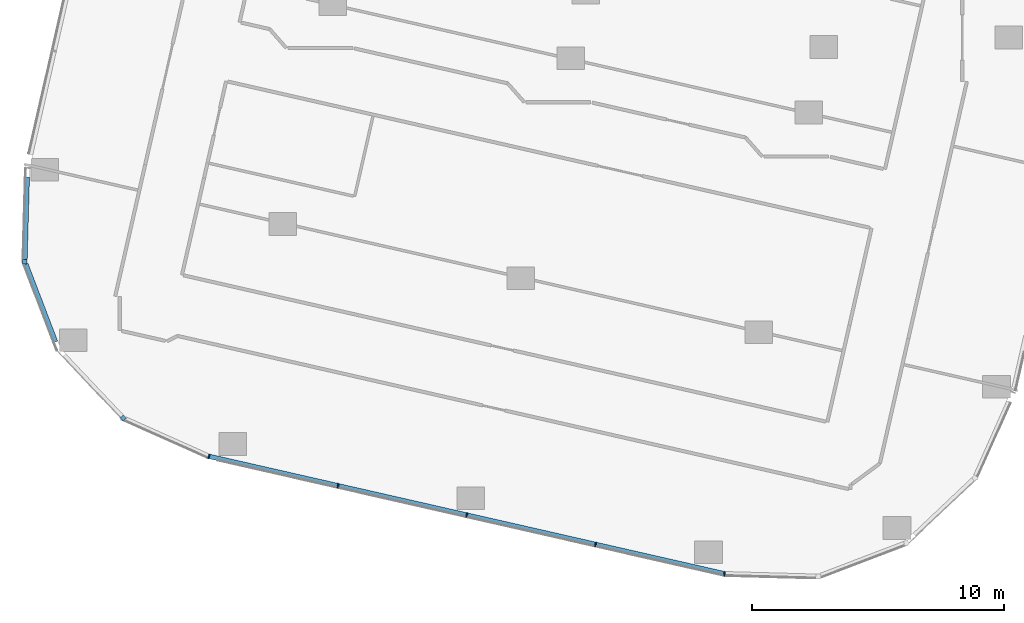
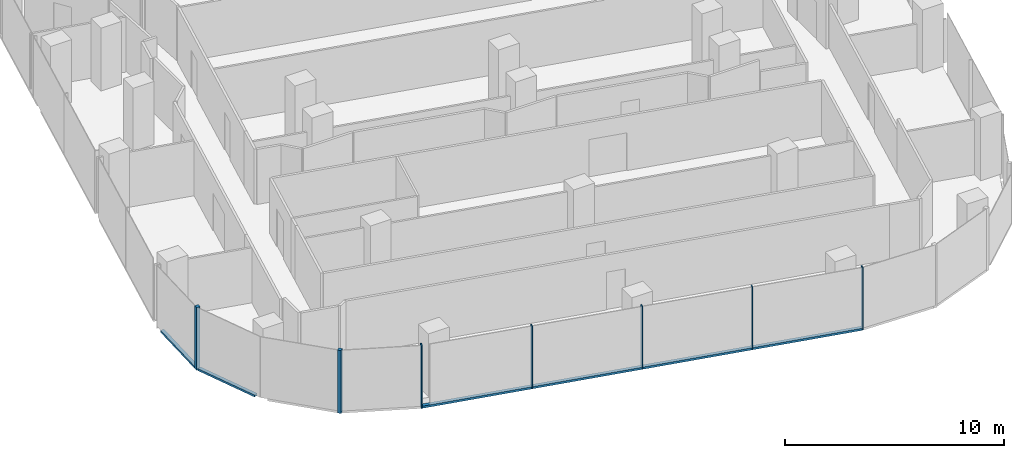
# One storey, part 2 of 23: 10 members, 5 elements without a shape of their own.
"""IFC4 building model written with IfcOpenShell, lengths in metres."""

from ifc_helpers import new_model, si_unit, direction, frame, origin, origin_2d, place, context, subcontext, project, spatial, rectangle, extrude, material, material_profile, profile_set, type_object, element, aggregate, save


model = new_model("IFC4")

# Units and contexts
model_context = context("Model", 3, precision=1e-05, world=origin(), true_north=direction((0.0, 1.0)))
body_context = subcontext(model_context, "Body", "Model", "MODEL_VIEW")
ifc_project = project(units=[si_unit("LENGTHUNIT", "METRE"), si_unit("AREAUNIT", "SQUARE_METRE"), si_unit("VOLUMEUNIT", "CUBIC_METRE"), si_unit("PLANEANGLEUNIT", "RADIAN"), si_unit("MASSUNIT", "GRAM", prefix="KILO")], contexts=[model_context])

# Site, building, storey
site_placement = place(None, origin())
site = spatial("IfcSite", under=ifc_project, at=site_placement, CompositionType="ELEMENT")
building_placement = place(site_placement, origin())
building = spatial("IfcBuilding", under=site, at=building_placement, Name="Orlundy Tower", CompositionType="ELEMENT")
storey_placement = place(building_placement, frame((0.0, 0.0, 181.10009765625)))
storey = spatial("IfcBuildingStorey", under=building, at=storey_placement, Name="L47", CompositionType="ELEMENT", Elevation=181.10009765625)

# Curtain wall, member
ifc_material_1 = material(Name="Aluminium bronze anodised", Category="aluminium")
curtain_wall_type = type_object("IfcCurtainWallType", Name="CW1 wall", PredefinedType="NOTDEFINED", material=ifc_material_1)
curtain_wall_1_placement = place(storey_placement, origin())
curtain_wall_1 = element("IfcCurtainWall", 1, at=curtain_wall_1_placement, inside=storey, type_object=curtain_wall_type, Name="CW1 run 025", PredefinedType="NOTDEFINED")
ifc_material_2 = material(Name="Aluminium bronze anodised", Category="aluminium")
ifc_material_profile_1 = material_profile(ifc_material_2, rectangle(XDim=0.179931640625, YDim=0.179931640625, at=origin_2d()), Name="CW1 corner post 180x180")
ifc_profile_set_1 = profile_set([ifc_material_profile_1], Name="Aluminium bronze anodised")
member_type_1 = type_object("IfcMemberType", Name="CW1 corner post 180x180", PredefinedType="MULLION", material=ifc_profile_set_1)
member_1_placement = place(storey_placement, frame((-27.113037109375, -55.21875, -0.420166015625), z_axis=(0.0, 0.0, 1.0), x_axis=(-0.726526655942, -0.68713828172, 0.0)))
member_1 = element("IfcMember", 2, at=member_1_placement, type_object=member_type_1, Name="CW1 mullion 58", PredefinedType="MULLION", context=body_context, shape_type="SweptSolid", body=[
    extrude(rectangle(XDim=0.179931640625, YDim=0.179931640625, at=origin_2d()), origin(), (0.0, 0.0, 1.0), 3.5),
])
aggregate(curtain_wall_1, [member_1])

curtain_wall_2_placement = place(storey_placement, origin())
curtain_wall_2 = element("IfcCurtainWall", 3, at=curtain_wall_2_placement, inside=storey, type_object=curtain_wall_type, Name="CW1 run 027", PredefinedType="NOTDEFINED")
member_2_placement = place(storey_placement, frame((-31.021484375, -49.00439453125, -0.420166015625), z_axis=(0.0, 0.0, 1.0), x_axis=(-0.999613796342, 0.027789533343, 0.0)))
member_2 = element("IfcMember", 4, at=member_2_placement, type_object=member_type_1, Name="CW1 mullion 60", PredefinedType="MULLION", context=body_context, shape_type="SweptSolid", body=[
    extrude(rectangle(XDim=0.179931640625, YDim=0.179931640625, at=origin_2d()), origin(), (0.0, 0.0, 1.0), 3.5),
])

# Curtain wall, members
curtain_wall_3_placement = place(storey_placement, origin())
curtain_wall_3 = element("IfcCurtainWall", 5, at=curtain_wall_3_placement, inside=storey, type_object=curtain_wall_type, Name="CW1 run 023", PredefinedType="NOTDEFINED")
ifc_material_3 = material(Name="Aluminium bronze anodised", Category="aluminium")
ifc_material_profile_2 = material_profile(ifc_material_3, rectangle(XDim=0.179931640625, YDim=0.050048828125, at=origin_2d()), Name="CW1 mullion 50x180")
ifc_profile_set_2 = profile_set([ifc_material_profile_2], Name="Aluminium bronze anodised")
member_type_2 = type_object("IfcMemberType", Name="CW1 mullion 50x180", PredefinedType="MULLION", material=ifc_profile_set_2)
member_3_placement = place(storey_placement, frame((-3.21142578125, -61.41064453125, -0.420166015625), z_axis=(0.0, 0.0, 1.0), x_axis=(-0.12540953917, -0.992105058693, 0.0)))
member_3 = element("IfcMember", 6, at=member_3_placement, type_object=member_type_2, Name="CW1 mullion 53", PredefinedType="MULLION", context=body_context, shape_type="SweptSolid", body=[
    extrude(rectangle(XDim=0.179931640625, YDim=0.050048828125, at=origin_2d()), origin(), (0.0, 0.0, 1.0), 3.5),
])
member_4_placement = place(storey_placement, frame((-8.3388671875, -60.24267578125, -0.420166015625), z_axis=(0.0, 0.0, 1.0), x_axis=(-0.222090335048, -0.975026093537, 0.0)))
member_4 = element("IfcMember", 7, at=member_4_placement, type_object=member_type_2, Name="CW1 mullion 54", PredefinedType="MULLION", context=body_context, shape_type="SweptSolid", body=[
    extrude(rectangle(XDim=0.179931640625, YDim=0.050048828125, at=origin_2d()), origin(), (0.0, 0.0, 1.0), 3.5),
])
member_5_placement = place(storey_placement, frame((-13.4580078125, -59.07666015625, -0.420166015625), z_axis=(0.0, 0.0, 1.0), x_axis=(-0.222090335048, -0.975026093537, 0.0)))
member_5 = element("IfcMember", 8, at=member_5_placement, type_object=member_type_2, Name="CW1 mullion 55", PredefinedType="MULLION", context=body_context, shape_type="SweptSolid", body=[
    extrude(rectangle(XDim=0.179931640625, YDim=0.050048828125, at=origin_2d()), origin(), (0.0, 0.0, 1.0), 3.5),
])
member_6_placement = place(storey_placement, frame((-18.576904296875, -57.91064453125, -0.420166015625), z_axis=(0.0, 0.0, 1.0), x_axis=(-0.222090335048, -0.975026093537, 0.0)))
member_6 = element("IfcMember", 9, at=member_6_placement, type_object=member_type_2, Name="CW1 mullion 56", PredefinedType="MULLION", context=body_context, shape_type="SweptSolid", body=[
    extrude(rectangle(XDim=0.179931640625, YDim=0.050048828125, at=origin_2d()), origin(), (0.0, 0.0, 1.0), 3.5),
])

# Curtain wall, member
curtain_wall_4_placement = place(storey_placement, origin())
curtain_wall_4 = element("IfcCurtainWall", 10, at=curtain_wall_4_placement, inside=storey, type_object=curtain_wall_type, Name="CW1 run 024", PredefinedType="NOTDEFINED")
member_7_placement = place(storey_placement, frame((-23.70458984375, -56.74267578125, -0.420166015625), z_axis=(0.0, 0.0, 1.0), x_axis=(-0.316654515257, -0.94854094164, 0.0)))
member_7 = element("IfcMember", 11, at=member_7_placement, type_object=member_type_2, Name="CW1 mullion 57", PredefinedType="MULLION", context=body_context, shape_type="SweptSolid", body=[
    extrude(rectangle(XDim=0.179931640625, YDim=0.050048828125, at=origin_2d()), origin(), (0.0, 0.0, 1.0), 3.5),
])
aggregate(curtain_wall_4, [member_7])

# Member
ifc_material_4 = material(Name="Aluminium bronze anodised", Category="aluminium")
ifc_material_profile_3 = material_profile(ifc_material_4, rectangle(XDim=0.179931640625, YDim=0.1201171875, at=origin_2d()), Name="CW1 transom 180x120")
ifc_profile_set_3 = profile_set([ifc_material_profile_3], Name="Aluminium bronze anodised")
member_type_3 = type_object("IfcMemberType", Name="CW1 transom 180x120", PredefinedType="USERDEFINED", material=ifc_profile_set_3)
member_8_placement = place(storey_placement, frame((-3.23583984375, -61.405029296875, -0.360107421875), z_axis=(-0.975026602826, 0.222088099144, 0.0), x_axis=(-0.222088099144, -0.975026602826, 0.0)))
member_8 = element("IfcMember", 12, at=member_8_placement, type_object=member_type_3, Name="CW1 transom", ObjectType="TRANSOM", PredefinedType="USERDEFINED", context=body_context, shape_type="SweptSolid", body=[
    extrude(rectangle(XDim=0.179931640625, YDim=0.1201171875, at=origin_2d()), origin(), (0.0, 0.0, 1.0), 20.968017578125),
])

aggregate(curtain_wall_3, [member_3, member_4, member_5, member_6, member_8])

# Curtain wall, member
curtain_wall_5_placement = place(storey_placement, origin())
curtain_wall_5 = element("IfcCurtainWall", 13, at=curtain_wall_5_placement, inside=storey, type_object=curtain_wall_type, Name="CW1 run 026", PredefinedType="NOTDEFINED")
member_9_placement = place(storey_placement, frame((-29.799072265625, -52.200927734375, -0.360107421875), z_axis=(-0.35716761429, 0.934040307108, 0.0), x_axis=(-0.934040307108, -0.35716761429, 0.0)))
member_9 = element("IfcMember", 14, at=member_9_placement, type_object=member_type_3, Name="CW1 transom", ObjectType="TRANSOM", PredefinedType="USERDEFINED", context=body_context, shape_type="SweptSolid", body=[
    extrude(rectangle(XDim=0.179931640625, YDim=0.1201171875, at=origin_2d()), origin(), (0.0, 0.0, 1.0), 3.32470703125),
])
aggregate(curtain_wall_5, [member_9])

# Member
member_10_placement = place(storey_placement, frame((-31.01904296875, -48.91455078125, -0.360107421875), z_axis=(0.027820893946, 0.999612924016, 0.0), x_axis=(-0.999612924016, 0.027820893946, 0.0)))
member_10 = element("IfcMember", 15, at=member_10_placement, type_object=member_type_3, Name="CW1 transom", ObjectType="TRANSOM", PredefinedType="USERDEFINED", context=body_context, shape_type="SweptSolid", body=[
    extrude(rectangle(XDim=0.179931640625, YDim=0.1201171875, at=origin_2d()), origin(), (0.0, 0.0, 1.0), 3.273193359375),
])

aggregate(curtain_wall_2, [member_2, member_10])

save(model, "model.ifc")
